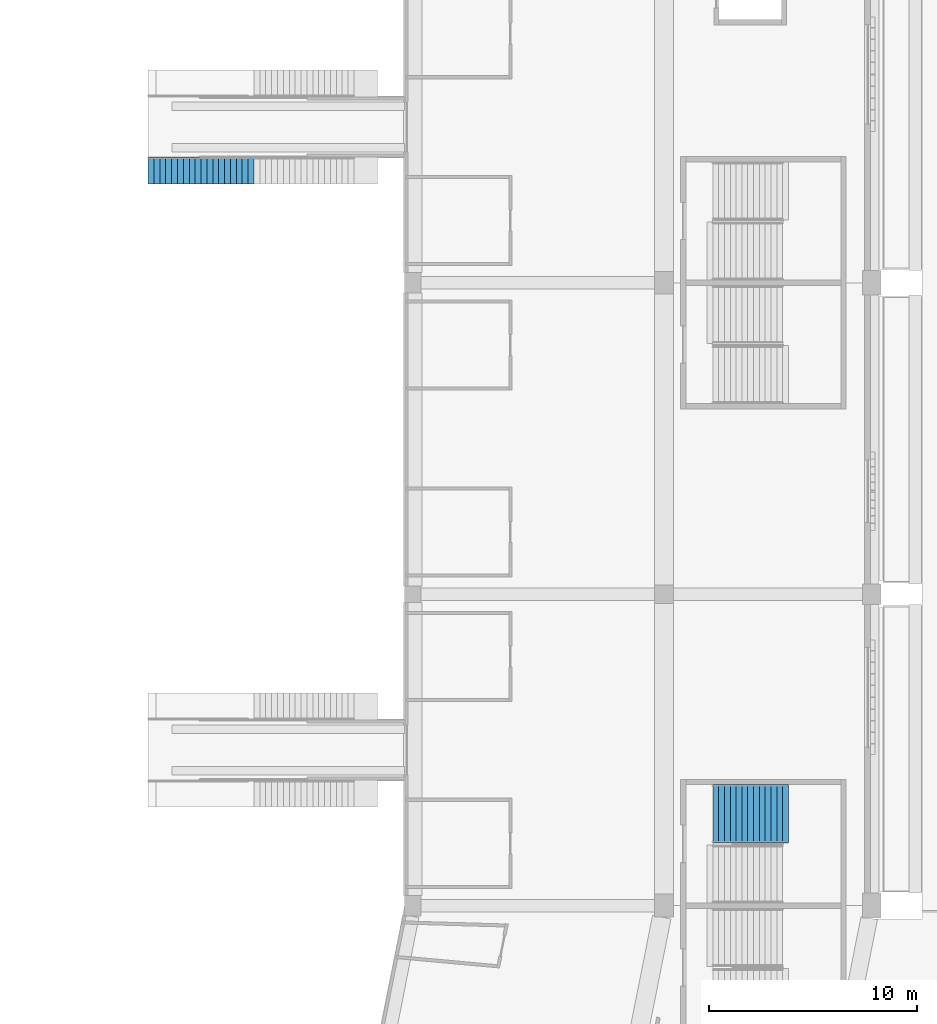
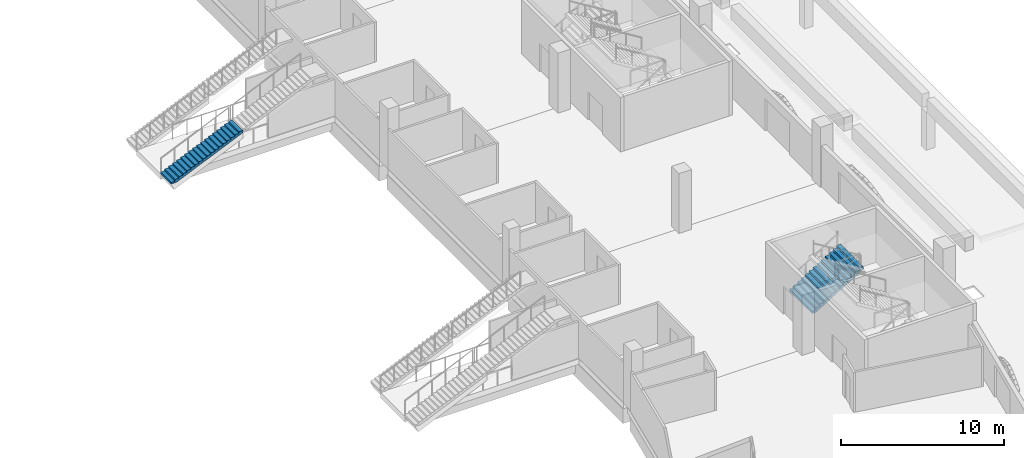
# One storey, part 97 of 175: 2 stair flights, 2 elements without a shape of their own.
"""IFC4 building model written with IfcOpenShell, lengths in metres."""

from ifc_helpers import new_model, si_unit, direction, frame, origin, place, context, subcontext, project, spatial, faceted_brep, material, type_object, element, aggregate, save


model = new_model("IFC4")

# Units and contexts
model_context = context("Model", 3, precision=1e-05, world=origin(), true_north=direction((0.0, 1.0)))
body_context = subcontext(model_context, "Body", "Model", "MODEL_VIEW")
ifc_project = project(units=[si_unit("LENGTHUNIT", "METRE"), si_unit("AREAUNIT", "SQUARE_METRE"), si_unit("VOLUMEUNIT", "CUBIC_METRE"), si_unit("PLANEANGLEUNIT", "RADIAN"), si_unit("MASSUNIT", "GRAM", prefix="KILO")], contexts=[model_context])

# Site, building, storey
site_placement = place(None, origin())
site = spatial("IfcSite", under=ifc_project, at=site_placement, CompositionType="ELEMENT")
building_placement = place(site_placement, origin())
building = spatial("IfcBuilding", under=site, at=building_placement, Name="Ogive Plaza Stadium", CompositionType="ELEMENT")
storey_placement = place(building_placement, origin())
storey = spatial("IfcBuildingStorey", under=building, at=storey_placement, Name="L00", CompositionType="ELEMENT", Elevation=0.0)

# Stair, stair flight
ifc_material_1 = material(Name="Concrete C40/50", Category="concrete")
stair_type_1 = type_object("IfcStairType", Name="Aisle stair", PredefinedType="STRAIGHT_RUN_STAIR", material=ifc_material_1)
stair_1_placement = place(storey_placement, origin())
stair_1 = element("IfcStair", 1, at=stair_1_placement, inside=storey, type_object=stair_type_1, Name="Aisle stair SA05L", PredefinedType="STRAIGHT_RUN_STAIR")
ifc_material_2 = material(Name="Concrete C40/50", Category="concrete")
stair_flight_type_1 = type_object("IfcStairFlightType", Name="Aisle stair flight", PredefinedType="STRAIGHT", material=ifc_material_2)
stair_flight_1_placement = place(storey_placement, frame((49.14990234375, -17.10009765625, 0.0), z_axis=(0.0, 0.0, 1.0), x_axis=(1.0, 0.0, 0.0)))
stair_flight_1 = element("IfcStairFlight", 2, at=stair_flight_1_placement, type_object=stair_flight_type_1, Name="SA05L flight 1", NumberOfRisers=18, NumberOfTreads=17, PredefinedType="STRAIGHT", RiserHeight=0.125, TreadLength=0.283333333, context=body_context, shape_type="Brep", body=[
    faceted_brep([(0.371337890625, -0.64990234375, 0.0), (5.10009765625, -0.64990234375, 2.086181640625), (5.10009765625, -0.64990234375, 2.25), (4.816650390625, -0.64990234375, 2.25), (4.816650390625, -0.64990234375, 2.125), (4.533447265625, -0.64990234375, 2.125), (4.533447265625, -0.64990234375, 2.0), (4.25, -0.64990234375, 2.0), (4.25, -0.64990234375, 1.875), (3.966552734375, -0.64990234375, 1.875), (3.966552734375, -0.64990234375, 1.75), (3.683349609375, -0.64990234375, 1.75), (3.683349609375, -0.64990234375, 1.625), (3.39990234375, -0.64990234375, 1.625), (3.39990234375, -0.64990234375, 1.5), (3.11669921875, -0.64990234375, 1.5), (3.11669921875, -0.64990234375, 1.375), (2.833251953125, -0.64990234375, 1.375), (2.833251953125, -0.64990234375, 1.25), (2.550048828125, -0.64990234375, 1.25), (2.550048828125, -0.64990234375, 1.125), (2.2666015625, -0.64990234375, 1.125), (2.2666015625, -0.64990234375, 1.0), (1.9833984375, -0.64990234375, 1.0), (1.9833984375, -0.64990234375, 0.875), (1.699951171875, -0.64990234375, 0.875), (1.699951171875, -0.64990234375, 0.75), (1.416748046875, -0.64990234375, 0.75), (1.416748046875, -0.64990234375, 0.625), (1.13330078125, -0.64990234375, 0.625), (1.13330078125, -0.64990234375, 0.5), (0.85009765625, -0.64990234375, 0.5), (0.85009765625, -0.64990234375, 0.375), (0.566650390625, -0.64990234375, 0.375), (0.566650390625, -0.64990234375, 0.25), (0.283447265625, -0.64990234375, 0.25), (0.283447265625, -0.64990234375, 0.125), (0.0, -0.64990234375, 0.125), (0.0, -0.64990234375, 0.0), (0.0, 0.64990234375, 0.0), (0.0, 0.64990234375, 0.125), (0.283447265625, 0.64990234375, 0.125), (0.283447265625, 0.64990234375, 0.25), (0.566650390625, 0.64990234375, 0.25), (0.566650390625, 0.64990234375, 0.375), (0.85009765625, 0.64990234375, 0.375), (0.85009765625, 0.64990234375, 0.5), (1.13330078125, 0.64990234375, 0.5), (1.13330078125, 0.64990234375, 0.625), (1.416748046875, 0.64990234375, 0.625), (1.416748046875, 0.64990234375, 0.75), (1.699951171875, 0.64990234375, 0.75), (1.699951171875, 0.64990234375, 0.875), (1.9833984375, 0.64990234375, 0.875), (1.9833984375, 0.64990234375, 1.0), (2.2666015625, 0.64990234375, 1.0), (2.2666015625, 0.64990234375, 1.125), (2.550048828125, 0.64990234375, 1.125), (2.550048828125, 0.64990234375, 1.25), (2.833251953125, 0.64990234375, 1.25), (2.833251953125, 0.64990234375, 1.375), (3.11669921875, 0.64990234375, 1.375), (3.11669921875, 0.64990234375, 1.5), (3.39990234375, 0.64990234375, 1.5), (3.39990234375, 0.64990234375, 1.625), (3.683349609375, 0.64990234375, 1.625), (3.683349609375, 0.64990234375, 1.75), (3.966552734375, 0.64990234375, 1.75), (3.966552734375, 0.64990234375, 1.875), (4.25, 0.64990234375, 1.875), (4.25, 0.64990234375, 2.0), (4.533447265625, 0.64990234375, 2.0), (4.533447265625, 0.64990234375, 2.125), (4.816650390625, 0.64990234375, 2.125), (4.816650390625, 0.64990234375, 2.25), (5.10009765625, 0.64990234375, 2.25), (5.10009765625, 0.64990234375, 2.086181640625), (0.371337890625, 0.64990234375, 0.0), (0.371337890625, -0.324951171875, 0.0), (5.10009765625, -0.324951171875, 2.086181640625), (0.371337890625, 0.0, 0.0), (5.10009765625, 0.0, 2.086181640625), (0.371337890625, 0.324951171875, 0.0), (5.10009765625, 0.324951171875, 2.086181640625), (5.10009765625, -0.324951171875, 2.25), (5.10009765625, 0.0, 2.25), (5.10009765625, 0.324951171875, 2.25), (4.816650390625, -0.324951171875, 2.25), (4.816650390625, 0.0, 2.25), (4.816650390625, 0.324951171875, 2.25), (4.816650390625, -0.324951171875, 2.125), (4.816650390625, 0.0, 2.125), (4.816650390625, 0.324951171875, 2.125), (4.533447265625, -0.324951171875, 2.125), (4.533447265625, 0.0, 2.125), (4.533447265625, 0.324951171875, 2.125), (4.533447265625, -0.324951171875, 2.0), (4.533447265625, 0.0, 2.0), (4.533447265625, 0.324951171875, 2.0), (4.25, -0.324951171875, 2.0), (4.25, 0.0, 2.0), (4.25, 0.324951171875, 2.0), (4.25, -0.324951171875, 1.875), (4.25, 0.0, 1.875), (4.25, 0.324951171875, 1.875), (3.966552734375, -0.324951171875, 1.875), (3.966552734375, 0.0, 1.875), (3.966552734375, 0.324951171875, 1.875), (3.966552734375, -0.324951171875, 1.75), (3.966552734375, 0.0, 1.75), (3.966552734375, 0.324951171875, 1.75), (3.683349609375, -0.324951171875, 1.75), (3.683349609375, 0.0, 1.75), (3.683349609375, 0.324951171875, 1.75), (3.683349609375, -0.324951171875, 1.625), (3.683349609375, 0.0, 1.625), (3.683349609375, 0.324951171875, 1.625), (3.39990234375, -0.324951171875, 1.625), (3.39990234375, 0.0, 1.625), (3.39990234375, 0.324951171875, 1.625), (3.39990234375, -0.324951171875, 1.5), (3.39990234375, 0.0, 1.5), (3.39990234375, 0.324951171875, 1.5), (3.11669921875, -0.324951171875, 1.5), (3.11669921875, 0.0, 1.5), (3.11669921875, 0.324951171875, 1.5), (3.11669921875, -0.324951171875, 1.375), (3.11669921875, 0.0, 1.375), (3.11669921875, 0.324951171875, 1.375), (2.833251953125, -0.324951171875, 1.375), (2.833251953125, 0.0, 1.375), (2.833251953125, 0.324951171875, 1.375), (2.833251953125, -0.324951171875, 1.25), (2.833251953125, 0.0, 1.25), (2.833251953125, 0.324951171875, 1.25), (2.550048828125, -0.324951171875, 1.25), (2.550048828125, 0.0, 1.25), (2.550048828125, 0.324951171875, 1.25), (2.550048828125, -0.324951171875, 1.125), (2.550048828125, 0.0, 1.125), (2.550048828125, 0.324951171875, 1.125), (2.2666015625, -0.324951171875, 1.125), (2.2666015625, 0.0, 1.125), (2.2666015625, 0.324951171875, 1.125), (2.2666015625, -0.324951171875, 1.0), (2.2666015625, 0.0, 1.0), (2.2666015625, 0.324951171875, 1.0), (1.9833984375, -0.324951171875, 1.0), (1.9833984375, 0.0, 1.0), (1.9833984375, 0.324951171875, 1.0), (1.9833984375, -0.324951171875, 0.875), (1.9833984375, 0.0, 0.875), (1.9833984375, 0.324951171875, 0.875), (1.699951171875, -0.324951171875, 0.875), (1.699951171875, 0.0, 0.875), (1.699951171875, 0.324951171875, 0.875), (1.699951171875, -0.324951171875, 0.75), (1.699951171875, 0.0, 0.75), (1.699951171875, 0.324951171875, 0.75), (1.416748046875, -0.324951171875, 0.75), (1.416748046875, 0.0, 0.75), (1.416748046875, 0.324951171875, 0.75), (1.416748046875, -0.324951171875, 0.625), (1.416748046875, 0.0, 0.625), (1.416748046875, 0.324951171875, 0.625), (1.13330078125, -0.324951171875, 0.625), (1.13330078125, 0.0, 0.625), (1.13330078125, 0.324951171875, 0.625), (1.13330078125, -0.324951171875, 0.5), (1.13330078125, 0.0, 0.5), (1.13330078125, 0.324951171875, 0.5), (0.85009765625, -0.324951171875, 0.5), (0.85009765625, 0.0, 0.5), (0.85009765625, 0.324951171875, 0.5), (0.85009765625, -0.324951171875, 0.375), (0.85009765625, 0.0, 0.375), (0.85009765625, 0.324951171875, 0.375), (0.566650390625, -0.324951171875, 0.375), (0.566650390625, 0.0, 0.375), (0.566650390625, 0.324951171875, 0.375), (0.566650390625, -0.324951171875, 0.25), (0.566650390625, 0.0, 0.25), (0.566650390625, 0.324951171875, 0.25), (0.283447265625, -0.324951171875, 0.25), (0.283447265625, 0.0, 0.25), (0.283447265625, 0.324951171875, 0.25), (0.283447265625, -0.324951171875, 0.125), (0.283447265625, 0.0, 0.125), (0.283447265625, 0.324951171875, 0.125), (0.0, -0.324951171875, 0.125), (0.0, 0.0, 0.125), (0.0, 0.324951171875, 0.125), (0.0, -0.324951171875, 0.0), (0.0, 0.0, 0.0), (0.0, 0.324951171875, 0.0)], [[[0, 1, 2, 3, 4, 5, 6, 7, 8, 9, 10, 11, 12, 13, 14, 15, 16, 17, 18, 19, 20, 21, 22, 23, 24, 25, 26, 27, 28, 29, 30, 31, 32, 33, 34, 35, 36, 37, 38]], [[39, 40, 41, 42, 43, 44, 45, 46, 47, 48, 49, 50, 51, 52, 53, 54, 55, 56, 57, 58, 59, 60, 61, 62, 63, 64, 65, 66, 67, 68, 69, 70, 71, 72, 73, 74, 75, 76, 77]], [[0, 78, 79, 1]], [[78, 80, 81, 79]], [[80, 82, 83, 81]], [[82, 77, 76, 83]], [[1, 79, 84, 2]], [[79, 81, 85, 84]], [[81, 83, 86, 85]], [[83, 76, 75, 86]], [[2, 84, 87, 3]], [[84, 85, 88, 87]], [[85, 86, 89, 88]], [[86, 75, 74, 89]], [[3, 87, 90, 4]], [[87, 88, 91, 90]], [[88, 89, 92, 91]], [[89, 74, 73, 92]], [[4, 90, 93, 5]], [[90, 91, 94, 93]], [[91, 92, 95, 94]], [[92, 73, 72, 95]], [[5, 93, 96, 6]], [[93, 94, 97, 96]], [[94, 95, 98, 97]], [[95, 72, 71, 98]], [[6, 96, 99, 7]], [[96, 97, 100, 99]], [[97, 98, 101, 100]], [[98, 71, 70, 101]], [[7, 99, 102, 8]], [[99, 100, 103, 102]], [[100, 101, 104, 103]], [[101, 70, 69, 104]], [[8, 102, 105, 9]], [[102, 103, 106, 105]], [[103, 104, 107, 106]], [[104, 69, 68, 107]], [[9, 105, 108, 10]], [[105, 106, 109, 108]], [[106, 107, 110, 109]], [[107, 68, 67, 110]], [[10, 108, 111, 11]], [[108, 109, 112, 111]], [[109, 110, 113, 112]], [[110, 67, 66, 113]], [[11, 111, 114, 12]], [[111, 112, 115, 114]], [[112, 113, 116, 115]], [[113, 66, 65, 116]], [[12, 114, 117, 13]], [[114, 115, 118, 117]], [[115, 116, 119, 118]], [[116, 65, 64, 119]], [[13, 117, 120, 14]], [[117, 118, 121, 120]], [[118, 119, 122, 121]], [[119, 64, 63, 122]], [[14, 120, 123, 15]], [[120, 121, 124, 123]], [[121, 122, 125, 124]], [[122, 63, 62, 125]], [[15, 123, 126, 16]], [[123, 124, 127, 126]], [[124, 125, 128, 127]], [[125, 62, 61, 128]], [[16, 126, 129, 17]], [[126, 127, 130, 129]], [[127, 128, 131, 130]], [[128, 61, 60, 131]], [[17, 129, 132, 18]], [[129, 130, 133, 132]], [[130, 131, 134, 133]], [[131, 60, 59, 134]], [[18, 132, 135, 19]], [[132, 133, 136, 135]], [[133, 134, 137, 136]], [[134, 59, 58, 137]], [[19, 135, 138, 20]], [[135, 136, 139, 138]], [[136, 137, 140, 139]], [[137, 58, 57, 140]], [[20, 138, 141, 21]], [[138, 139, 142, 141]], [[139, 140, 143, 142]], [[140, 57, 56, 143]], [[21, 141, 144, 22]], [[141, 142, 145, 144]], [[142, 143, 146, 145]], [[143, 56, 55, 146]], [[22, 144, 147, 23]], [[144, 145, 148, 147]], [[145, 146, 149, 148]], [[146, 55, 54, 149]], [[23, 147, 150, 24]], [[147, 148, 151, 150]], [[148, 149, 152, 151]], [[149, 54, 53, 152]], [[24, 150, 153, 25]], [[150, 151, 154, 153]], [[151, 152, 155, 154]], [[152, 53, 52, 155]], [[25, 153, 156, 26]], [[153, 154, 157, 156]], [[154, 155, 158, 157]], [[155, 52, 51, 158]], [[26, 156, 159, 27]], [[156, 157, 160, 159]], [[157, 158, 161, 160]], [[158, 51, 50, 161]], [[27, 159, 162, 28]], [[159, 160, 163, 162]], [[160, 161, 164, 163]], [[161, 50, 49, 164]], [[28, 162, 165, 29]], [[162, 163, 166, 165]], [[163, 164, 167, 166]], [[164, 49, 48, 167]], [[29, 165, 168, 30]], [[165, 166, 169, 168]], [[166, 167, 170, 169]], [[167, 48, 47, 170]], [[30, 168, 171, 31]], [[168, 169, 172, 171]], [[169, 170, 173, 172]], [[170, 47, 46, 173]], [[31, 171, 174, 32]], [[171, 172, 175, 174]], [[172, 173, 176, 175]], [[173, 46, 45, 176]], [[32, 174, 177, 33]], [[174, 175, 178, 177]], [[175, 176, 179, 178]], [[176, 45, 44, 179]], [[33, 177, 180, 34]], [[177, 178, 181, 180]], [[178, 179, 182, 181]], [[179, 44, 43, 182]], [[34, 180, 183, 35]], [[180, 181, 184, 183]], [[181, 182, 185, 184]], [[182, 43, 42, 185]], [[35, 183, 186, 36]], [[183, 184, 187, 186]], [[184, 185, 188, 187]], [[185, 42, 41, 188]], [[36, 186, 189, 37]], [[186, 187, 190, 189]], [[187, 188, 191, 190]], [[188, 41, 40, 191]], [[37, 189, 192, 38]], [[189, 190, 193, 192]], [[190, 191, 194, 193]], [[191, 40, 39, 194]], [[38, 192, 78, 0]], [[192, 193, 80, 78]], [[193, 194, 82, 80]], [[194, 39, 77, 82]]]),
])
aggregate(stair_1, [stair_flight_1])

ifc_material_3 = material(Name="Concrete C40/50", Category="concrete")
stair_type_2 = type_object("IfcStairType", Name="Exit stair", PredefinedType="STRAIGHT_RUN_STAIR", material=ifc_material_3)
stair_2_placement = place(storey_placement, origin())
stair_2 = element("IfcStair", 3, at=stair_2_placement, inside=storey, type_object=stair_type_2, Name="Exit stair ST08B L00 to L01", PredefinedType="STRAIGHT_RUN_STAIR")
ifc_material_4 = material(Name="Concrete C40/50", Category="concrete")
stair_flight_type_2 = type_object("IfcStairFlightType", Name="Exit stair flight", PredefinedType="STRAIGHT", material=ifc_material_4)
stair_flight_2_placement = place(storey_placement, frame((76.35009765625, -48.074951171875, 0.0), z_axis=(0.0, 0.0, 1.0), x_axis=(1.0, 0.0, 0.0)))
stair_flight_2 = element("IfcStairFlight", 4, at=stair_flight_2_placement, type_object=stair_flight_type_2, Name="ST08B flight 1", NumberOfRisers=13, NumberOfTreads=12, PredefinedType="STRAIGHT", RiserHeight=0.173076923, TreadLength=0.28, context=body_context, shape_type="Brep", body=[
    faceted_brep([(0.28515625, -1.39990234375, 0.0), (3.639892578125, -1.39990234375, 2.07373046875), (3.639892578125, -1.39990234375, 2.25), (3.360107421875, -1.39990234375, 2.25), (3.360107421875, -1.39990234375, 2.076904296875), (3.080078125, -1.39990234375, 2.076904296875), (3.080078125, -1.39990234375, 1.90380859375), (2.800048828125, -1.39990234375, 1.90380859375), (2.800048828125, -1.39990234375, 1.730712890625), (2.52001953125, -1.39990234375, 1.730712890625), (2.52001953125, -1.39990234375, 1.5576171875), (2.239990234375, -1.39990234375, 1.5576171875), (2.239990234375, -1.39990234375, 1.384521484375), (1.9599609375, -1.39990234375, 1.384521484375), (1.9599609375, -1.39990234375, 1.21142578125), (1.679931640625, -1.39990234375, 1.21142578125), (1.679931640625, -1.39990234375, 1.03857421875), (1.39990234375, -1.39990234375, 1.03857421875), (1.39990234375, -1.39990234375, 0.865478515625), (1.1201171875, -1.39990234375, 0.865478515625), (1.1201171875, -1.39990234375, 0.6923828125), (0.840087890625, -1.39990234375, 0.6923828125), (0.840087890625, -1.39990234375, 0.519287109375), (0.56005859375, -1.39990234375, 0.519287109375), (0.56005859375, -1.39990234375, 0.34619140625), (0.280029296875, -1.39990234375, 0.34619140625), (0.280029296875, -1.39990234375, 0.173095703125), (0.0, -1.39990234375, 0.173095703125), (0.0, -1.39990234375, 0.0), (0.0, 1.39990234375, 0.0), (0.0, 1.39990234375, 0.173095703125), (0.280029296875, 1.39990234375, 0.173095703125), (0.280029296875, 1.39990234375, 0.34619140625), (0.56005859375, 1.39990234375, 0.34619140625), (0.56005859375, 1.39990234375, 0.519287109375), (0.840087890625, 1.39990234375, 0.519287109375), (0.840087890625, 1.39990234375, 0.6923828125), (1.1201171875, 1.39990234375, 0.6923828125), (1.1201171875, 1.39990234375, 0.865478515625), (1.39990234375, 1.39990234375, 0.865478515625), (1.39990234375, 1.39990234375, 1.03857421875), (1.679931640625, 1.39990234375, 1.03857421875), (1.679931640625, 1.39990234375, 1.21142578125), (1.9599609375, 1.39990234375, 1.21142578125), (1.9599609375, 1.39990234375, 1.384521484375), (2.239990234375, 1.39990234375, 1.384521484375), (2.239990234375, 1.39990234375, 1.5576171875), (2.52001953125, 1.39990234375, 1.5576171875), (2.52001953125, 1.39990234375, 1.730712890625), (2.800048828125, 1.39990234375, 1.730712890625), (2.800048828125, 1.39990234375, 1.90380859375), (3.080078125, 1.39990234375, 1.90380859375), (3.080078125, 1.39990234375, 2.076904296875), (3.360107421875, 1.39990234375, 2.076904296875), (3.360107421875, 1.39990234375, 2.25), (3.639892578125, 1.39990234375, 2.25), (3.639892578125, 1.39990234375, 2.07373046875), (0.28515625, 1.39990234375, 0.0), (0.28515625, -1.0888671875, 0.0), (3.639892578125, -1.0888671875, 2.07373046875), (0.28515625, -0.77783203125, 0.0), (3.639892578125, -0.77783203125, 2.07373046875), (0.28515625, -0.466796875, 0.0), (3.639892578125, -0.466796875, 2.07373046875), (0.28515625, -0.155517578125, 0.0), (3.639892578125, -0.155517578125, 2.07373046875), (0.28515625, 0.155517578125, 0.0), (3.639892578125, 0.155517578125, 2.07373046875), (0.28515625, 0.466796875, 0.0), (3.639892578125, 0.466796875, 2.07373046875), (0.28515625, 0.77783203125, 0.0), (3.639892578125, 0.77783203125, 2.07373046875), (0.28515625, 1.0888671875, 0.0), (3.639892578125, 1.0888671875, 2.07373046875), (3.639892578125, -1.0888671875, 2.25), (3.639892578125, -0.77783203125, 2.25), (3.639892578125, -0.466796875, 2.25), (3.639892578125, -0.155517578125, 2.25), (3.639892578125, 0.155517578125, 2.25), (3.639892578125, 0.466796875, 2.25), (3.639892578125, 0.77783203125, 2.25), (3.639892578125, 1.0888671875, 2.25), (3.360107421875, -1.0888671875, 2.25), (3.360107421875, -0.77783203125, 2.25), (3.360107421875, -0.466796875, 2.25), (3.360107421875, -0.155517578125, 2.25), (3.360107421875, 0.155517578125, 2.25), (3.360107421875, 0.466796875, 2.25), (3.360107421875, 0.77783203125, 2.25), (3.360107421875, 1.0888671875, 2.25), (3.360107421875, -1.0888671875, 2.076904296875), (3.360107421875, -0.77783203125, 2.076904296875), (3.360107421875, -0.466796875, 2.076904296875), (3.360107421875, -0.155517578125, 2.076904296875), (3.360107421875, 0.155517578125, 2.076904296875), (3.360107421875, 0.466796875, 2.076904296875), (3.360107421875, 0.77783203125, 2.076904296875), (3.360107421875, 1.0888671875, 2.076904296875), (3.080078125, -1.0888671875, 2.076904296875), (3.080078125, -0.77783203125, 2.076904296875), (3.080078125, -0.466796875, 2.076904296875), (3.080078125, -0.155517578125, 2.076904296875), (3.080078125, 0.155517578125, 2.076904296875), (3.080078125, 0.466796875, 2.076904296875), (3.080078125, 0.77783203125, 2.076904296875), (3.080078125, 1.0888671875, 2.076904296875), (3.080078125, -1.0888671875, 1.90380859375), (3.080078125, -0.77783203125, 1.90380859375), (3.080078125, -0.466796875, 1.90380859375), (3.080078125, -0.155517578125, 1.90380859375), (3.080078125, 0.155517578125, 1.90380859375), (3.080078125, 0.466796875, 1.90380859375), (3.080078125, 0.77783203125, 1.90380859375), (3.080078125, 1.0888671875, 1.90380859375), (2.800048828125, -1.0888671875, 1.90380859375), (2.800048828125, -0.77783203125, 1.90380859375), (2.800048828125, -0.466796875, 1.90380859375), (2.800048828125, -0.155517578125, 1.90380859375), (2.800048828125, 0.155517578125, 1.90380859375), (2.800048828125, 0.466796875, 1.90380859375), (2.800048828125, 0.77783203125, 1.90380859375), (2.800048828125, 1.0888671875, 1.90380859375), (2.800048828125, -1.0888671875, 1.730712890625), (2.800048828125, -0.77783203125, 1.730712890625), (2.800048828125, -0.466796875, 1.730712890625), (2.800048828125, -0.155517578125, 1.730712890625), (2.800048828125, 0.155517578125, 1.730712890625), (2.800048828125, 0.466796875, 1.730712890625), (2.800048828125, 0.77783203125, 1.730712890625), (2.800048828125, 1.0888671875, 1.730712890625), (2.52001953125, -1.0888671875, 1.730712890625), (2.52001953125, -0.77783203125, 1.730712890625), (2.52001953125, -0.466796875, 1.730712890625), (2.52001953125, -0.155517578125, 1.730712890625), (2.52001953125, 0.155517578125, 1.730712890625), (2.52001953125, 0.466796875, 1.730712890625), (2.52001953125, 0.77783203125, 1.730712890625), (2.52001953125, 1.0888671875, 1.730712890625), (2.52001953125, -1.0888671875, 1.5576171875), (2.52001953125, -0.77783203125, 1.5576171875), (2.52001953125, -0.466796875, 1.5576171875), (2.52001953125, -0.155517578125, 1.5576171875), (2.52001953125, 0.155517578125, 1.5576171875), (2.52001953125, 0.466796875, 1.5576171875), (2.52001953125, 0.77783203125, 1.5576171875), (2.52001953125, 1.0888671875, 1.5576171875), (2.239990234375, -1.0888671875, 1.5576171875), (2.239990234375, -0.77783203125, 1.5576171875), (2.239990234375, -0.466796875, 1.5576171875), (2.239990234375, -0.155517578125, 1.5576171875), (2.239990234375, 0.155517578125, 1.5576171875), (2.239990234375, 0.466796875, 1.5576171875), (2.239990234375, 0.77783203125, 1.5576171875), (2.239990234375, 1.0888671875, 1.5576171875), (2.239990234375, -1.0888671875, 1.384521484375), (2.239990234375, -0.77783203125, 1.384521484375), (2.239990234375, -0.466796875, 1.384521484375), (2.239990234375, -0.155517578125, 1.384521484375), (2.239990234375, 0.155517578125, 1.384521484375), (2.239990234375, 0.466796875, 1.384521484375), (2.239990234375, 0.77783203125, 1.384521484375), (2.239990234375, 1.0888671875, 1.384521484375), (1.9599609375, -1.0888671875, 1.384521484375), (1.9599609375, -0.77783203125, 1.384521484375), (1.9599609375, -0.466796875, 1.384521484375), (1.9599609375, -0.155517578125, 1.384521484375), (1.9599609375, 0.155517578125, 1.384521484375), (1.9599609375, 0.466796875, 1.384521484375), (1.9599609375, 0.77783203125, 1.384521484375), (1.9599609375, 1.0888671875, 1.384521484375), (1.9599609375, -1.0888671875, 1.21142578125), (1.9599609375, -0.77783203125, 1.21142578125), (1.9599609375, -0.466796875, 1.21142578125), (1.9599609375, -0.155517578125, 1.21142578125), (1.9599609375, 0.155517578125, 1.21142578125), (1.9599609375, 0.466796875, 1.21142578125), (1.9599609375, 0.77783203125, 1.21142578125), (1.9599609375, 1.0888671875, 1.21142578125), (1.679931640625, -1.0888671875, 1.21142578125), (1.679931640625, -0.77783203125, 1.21142578125), (1.679931640625, -0.466796875, 1.21142578125), (1.679931640625, -0.155517578125, 1.21142578125), (1.679931640625, 0.155517578125, 1.21142578125), (1.679931640625, 0.466796875, 1.21142578125), (1.679931640625, 0.77783203125, 1.21142578125), (1.679931640625, 1.0888671875, 1.21142578125), (1.679931640625, -1.0888671875, 1.03857421875), (1.679931640625, -0.77783203125, 1.03857421875), (1.679931640625, -0.466796875, 1.03857421875), (1.679931640625, -0.155517578125, 1.03857421875), (1.679931640625, 0.155517578125, 1.03857421875), (1.679931640625, 0.466796875, 1.03857421875), (1.679931640625, 0.77783203125, 1.03857421875), (1.679931640625, 1.0888671875, 1.03857421875), (1.39990234375, -1.0888671875, 1.03857421875), (1.39990234375, -0.77783203125, 1.03857421875), (1.39990234375, -0.466796875, 1.03857421875), (1.39990234375, -0.155517578125, 1.03857421875), (1.39990234375, 0.155517578125, 1.03857421875), (1.39990234375, 0.466796875, 1.03857421875), (1.39990234375, 0.77783203125, 1.03857421875), (1.39990234375, 1.0888671875, 1.03857421875), (1.39990234375, -1.0888671875, 0.865478515625), (1.39990234375, -0.77783203125, 0.865478515625), (1.39990234375, -0.466796875, 0.865478515625), (1.39990234375, -0.155517578125, 0.865478515625), (1.39990234375, 0.155517578125, 0.865478515625), (1.39990234375, 0.466796875, 0.865478515625), (1.39990234375, 0.77783203125, 0.865478515625), (1.39990234375, 1.0888671875, 0.865478515625), (1.1201171875, -1.0888671875, 0.865478515625), (1.1201171875, -0.77783203125, 0.865478515625), (1.1201171875, -0.466796875, 0.865478515625), (1.1201171875, -0.155517578125, 0.865478515625), (1.1201171875, 0.155517578125, 0.865478515625), (1.1201171875, 0.466796875, 0.865478515625), (1.1201171875, 0.77783203125, 0.865478515625), (1.1201171875, 1.0888671875, 0.865478515625), (1.1201171875, -1.0888671875, 0.6923828125), (1.1201171875, -0.77783203125, 0.6923828125), (1.1201171875, -0.466796875, 0.6923828125), (1.1201171875, -0.155517578125, 0.6923828125), (1.1201171875, 0.155517578125, 0.6923828125), (1.1201171875, 0.466796875, 0.6923828125), (1.1201171875, 0.77783203125, 0.6923828125), (1.1201171875, 1.0888671875, 0.6923828125), (0.840087890625, -1.0888671875, 0.6923828125), (0.840087890625, -0.77783203125, 0.6923828125), (0.840087890625, -0.466796875, 0.6923828125), (0.840087890625, -0.155517578125, 0.6923828125), (0.840087890625, 0.155517578125, 0.6923828125), (0.840087890625, 0.466796875, 0.6923828125), (0.840087890625, 0.77783203125, 0.6923828125), (0.840087890625, 1.0888671875, 0.6923828125), (0.840087890625, -1.0888671875, 0.519287109375), (0.840087890625, -0.77783203125, 0.519287109375), (0.840087890625, -0.466796875, 0.519287109375), (0.840087890625, -0.155517578125, 0.519287109375), (0.840087890625, 0.155517578125, 0.519287109375), (0.840087890625, 0.466796875, 0.519287109375), (0.840087890625, 0.77783203125, 0.519287109375), (0.840087890625, 1.0888671875, 0.519287109375), (0.56005859375, -1.0888671875, 0.519287109375), (0.56005859375, -0.77783203125, 0.519287109375), (0.56005859375, -0.466796875, 0.519287109375), (0.56005859375, -0.155517578125, 0.519287109375), (0.56005859375, 0.155517578125, 0.519287109375), (0.56005859375, 0.466796875, 0.519287109375), (0.56005859375, 0.77783203125, 0.519287109375), (0.56005859375, 1.0888671875, 0.519287109375), (0.56005859375, -1.0888671875, 0.34619140625), (0.56005859375, -0.77783203125, 0.34619140625), (0.56005859375, -0.466796875, 0.34619140625), (0.56005859375, -0.155517578125, 0.34619140625), (0.56005859375, 0.155517578125, 0.34619140625), (0.56005859375, 0.466796875, 0.34619140625), (0.56005859375, 0.77783203125, 0.34619140625), (0.56005859375, 1.0888671875, 0.34619140625), (0.280029296875, -1.0888671875, 0.34619140625), (0.280029296875, -0.77783203125, 0.34619140625), (0.280029296875, -0.466796875, 0.34619140625), (0.280029296875, -0.155517578125, 0.34619140625), (0.280029296875, 0.155517578125, 0.34619140625), (0.280029296875, 0.466796875, 0.34619140625), (0.280029296875, 0.77783203125, 0.34619140625), (0.280029296875, 1.0888671875, 0.34619140625), (0.280029296875, -1.0888671875, 0.173095703125), (0.280029296875, -0.77783203125, 0.173095703125), (0.280029296875, -0.466796875, 0.173095703125), (0.280029296875, -0.155517578125, 0.173095703125), (0.280029296875, 0.155517578125, 0.173095703125), (0.280029296875, 0.466796875, 0.173095703125), (0.280029296875, 0.77783203125, 0.173095703125), (0.280029296875, 1.0888671875, 0.173095703125), (0.0, -1.0888671875, 0.173095703125), (0.0, -0.77783203125, 0.173095703125), (0.0, -0.466796875, 0.173095703125), (0.0, -0.155517578125, 0.173095703125), (0.0, 0.155517578125, 0.173095703125), (0.0, 0.466796875, 0.173095703125), (0.0, 0.77783203125, 0.173095703125), (0.0, 1.0888671875, 0.173095703125), (0.0, -1.0888671875, 0.0), (0.0, -0.77783203125, 0.0), (0.0, -0.466796875, 0.0), (0.0, -0.155517578125, 0.0), (0.0, 0.155517578125, 0.0), (0.0, 0.466796875, 0.0), (0.0, 0.77783203125, 0.0), (0.0, 1.0888671875, 0.0)], [[[0, 1, 2, 3, 4, 5, 6, 7, 8, 9, 10, 11, 12, 13, 14, 15, 16, 17, 18, 19, 20, 21, 22, 23, 24, 25, 26, 27, 28]], [[29, 30, 31, 32, 33, 34, 35, 36, 37, 38, 39, 40, 41, 42, 43, 44, 45, 46, 47, 48, 49, 50, 51, 52, 53, 54, 55, 56, 57]], [[0, 58, 59, 1]], [[58, 60, 61, 59]], [[60, 62, 63, 61]], [[62, 64, 65, 63]], [[64, 66, 67, 65]], [[66, 68, 69, 67]], [[68, 70, 71, 69]], [[70, 72, 73, 71]], [[72, 57, 56, 73]], [[1, 59, 74, 2]], [[59, 61, 75, 74]], [[61, 63, 76, 75]], [[63, 65, 77, 76]], [[65, 67, 78, 77]], [[67, 69, 79, 78]], [[69, 71, 80, 79]], [[71, 73, 81, 80]], [[73, 56, 55, 81]], [[2, 74, 82, 3]], [[74, 75, 83, 82]], [[75, 76, 84, 83]], [[76, 77, 85, 84]], [[77, 78, 86, 85]], [[78, 79, 87, 86]], [[79, 80, 88, 87]], [[80, 81, 89, 88]], [[81, 55, 54, 89]], [[3, 82, 90, 4]], [[82, 83, 91, 90]], [[83, 84, 92, 91]], [[84, 85, 93, 92]], [[85, 86, 94, 93]], [[86, 87, 95, 94]], [[87, 88, 96, 95]], [[88, 89, 97, 96]], [[89, 54, 53, 97]], [[4, 90, 98, 5]], [[90, 91, 99, 98]], [[91, 92, 100, 99]], [[92, 93, 101, 100]], [[93, 94, 102, 101]], [[94, 95, 103, 102]], [[95, 96, 104, 103]], [[96, 97, 105, 104]], [[97, 53, 52, 105]], [[5, 98, 106, 6]], [[98, 99, 107, 106]], [[99, 100, 108, 107]], [[100, 101, 109, 108]], [[101, 102, 110, 109]], [[102, 103, 111, 110]], [[103, 104, 112, 111]], [[104, 105, 113, 112]], [[105, 52, 51, 113]], [[6, 106, 114, 7]], [[106, 107, 115, 114]], [[107, 108, 116, 115]], [[108, 109, 117, 116]], [[109, 110, 118, 117]], [[110, 111, 119, 118]], [[111, 112, 120, 119]], [[112, 113, 121, 120]], [[113, 51, 50, 121]], [[7, 114, 122, 8]], [[114, 115, 123, 122]], [[115, 116, 124, 123]], [[116, 117, 125, 124]], [[117, 118, 126, 125]], [[118, 119, 127, 126]], [[119, 120, 128, 127]], [[120, 121, 129, 128]], [[121, 50, 49, 129]], [[8, 122, 130, 9]], [[122, 123, 131, 130]], [[123, 124, 132, 131]], [[124, 125, 133, 132]], [[125, 126, 134, 133]], [[126, 127, 135, 134]], [[127, 128, 136, 135]], [[128, 129, 137, 136]], [[129, 49, 48, 137]], [[9, 130, 138, 10]], [[130, 131, 139, 138]], [[131, 132, 140, 139]], [[132, 133, 141, 140]], [[133, 134, 142, 141]], [[134, 135, 143, 142]], [[135, 136, 144, 143]], [[136, 137, 145, 144]], [[137, 48, 47, 145]], [[10, 138, 146, 11]], [[138, 139, 147, 146]], [[139, 140, 148, 147]], [[140, 141, 149, 148]], [[141, 142, 150, 149]], [[142, 143, 151, 150]], [[143, 144, 152, 151]], [[144, 145, 153, 152]], [[145, 47, 46, 153]], [[11, 146, 154, 12]], [[146, 147, 155, 154]], [[147, 148, 156, 155]], [[148, 149, 157, 156]], [[149, 150, 158, 157]], [[150, 151, 159, 158]], [[151, 152, 160, 159]], [[152, 153, 161, 160]], [[153, 46, 45, 161]], [[12, 154, 162, 13]], [[154, 155, 163, 162]], [[155, 156, 164, 163]], [[156, 157, 165, 164]], [[157, 158, 166, 165]], [[158, 159, 167, 166]], [[159, 160, 168, 167]], [[160, 161, 169, 168]], [[161, 45, 44, 169]], [[13, 162, 170, 14]], [[162, 163, 171, 170]], [[163, 164, 172, 171]], [[164, 165, 173, 172]], [[165, 166, 174, 173]], [[166, 167, 175, 174]], [[167, 168, 176, 175]], [[168, 169, 177, 176]], [[169, 44, 43, 177]], [[14, 170, 178, 15]], [[170, 171, 179, 178]], [[171, 172, 180, 179]], [[172, 173, 181, 180]], [[173, 174, 182, 181]], [[174, 175, 183, 182]], [[175, 176, 184, 183]], [[176, 177, 185, 184]], [[177, 43, 42, 185]], [[15, 178, 186, 16]], [[178, 179, 187, 186]], [[179, 180, 188, 187]], [[180, 181, 189, 188]], [[181, 182, 190, 189]], [[182, 183, 191, 190]], [[183, 184, 192, 191]], [[184, 185, 193, 192]], [[185, 42, 41, 193]], [[16, 186, 194, 17]], [[186, 187, 195, 194]], [[187, 188, 196, 195]], [[188, 189, 197, 196]], [[189, 190, 198, 197]], [[190, 191, 199, 198]], [[191, 192, 200, 199]], [[192, 193, 201, 200]], [[193, 41, 40, 201]], [[17, 194, 202, 18]], [[194, 195, 203, 202]], [[195, 196, 204, 203]], [[196, 197, 205, 204]], [[197, 198, 206, 205]], [[198, 199, 207, 206]], [[199, 200, 208, 207]], [[200, 201, 209, 208]], [[201, 40, 39, 209]], [[18, 202, 210, 19]], [[202, 203, 211, 210]], [[203, 204, 212, 211]], [[204, 205, 213, 212]], [[205, 206, 214, 213]], [[206, 207, 215, 214]], [[207, 208, 216, 215]], [[208, 209, 217, 216]], [[209, 39, 38, 217]], [[19, 210, 218, 20]], [[210, 211, 219, 218]], [[211, 212, 220, 219]], [[212, 213, 221, 220]], [[213, 214, 222, 221]], [[214, 215, 223, 222]], [[215, 216, 224, 223]], [[216, 217, 225, 224]], [[217, 38, 37, 225]], [[20, 218, 226, 21]], [[218, 219, 227, 226]], [[219, 220, 228, 227]], [[220, 221, 229, 228]], [[221, 222, 230, 229]], [[222, 223, 231, 230]], [[223, 224, 232, 231]], [[224, 225, 233, 232]], [[225, 37, 36, 233]], [[21, 226, 234, 22]], [[226, 227, 235, 234]], [[227, 228, 236, 235]], [[228, 229, 237, 236]], [[229, 230, 238, 237]], [[230, 231, 239, 238]], [[231, 232, 240, 239]], [[232, 233, 241, 240]], [[233, 36, 35, 241]], [[22, 234, 242, 23]], [[234, 235, 243, 242]], [[235, 236, 244, 243]], [[236, 237, 245, 244]], [[237, 238, 246, 245]], [[238, 239, 247, 246]], [[239, 240, 248, 247]], [[240, 241, 249, 248]], [[241, 35, 34, 249]], [[23, 242, 250, 24]], [[242, 243, 251, 250]], [[243, 244, 252, 251]], [[244, 245, 253, 252]], [[245, 246, 254, 253]], [[246, 247, 255, 254]], [[247, 248, 256, 255]], [[248, 249, 257, 256]], [[249, 34, 33, 257]], [[24, 250, 258, 25]], [[250, 251, 259, 258]], [[251, 252, 260, 259]], [[252, 253, 261, 260]], [[253, 254, 262, 261]], [[254, 255, 263, 262]], [[255, 256, 264, 263]], [[256, 257, 265, 264]], [[257, 33, 32, 265]], [[25, 258, 266, 26]], [[258, 259, 267, 266]], [[259, 260, 268, 267]], [[260, 261, 269, 268]], [[261, 262, 270, 269]], [[262, 263, 271, 270]], [[263, 264, 272, 271]], [[264, 265, 273, 272]], [[265, 32, 31, 273]], [[26, 266, 274, 27]], [[266, 267, 275, 274]], [[267, 268, 276, 275]], [[268, 269, 277, 276]], [[269, 270, 278, 277]], [[270, 271, 279, 278]], [[271, 272, 280, 279]], [[272, 273, 281, 280]], [[273, 31, 30, 281]], [[27, 274, 282, 28]], [[274, 275, 283, 282]], [[275, 276, 284, 283]], [[276, 277, 285, 284]], [[277, 278, 286, 285]], [[278, 279, 287, 286]], [[279, 280, 288, 287]], [[280, 281, 289, 288]], [[281, 30, 29, 289]], [[28, 282, 58, 0]], [[282, 283, 60, 58]], [[283, 284, 62, 60]], [[284, 285, 64, 62]], [[285, 286, 66, 64]], [[286, 287, 68, 66]], [[287, 288, 70, 68]], [[288, 289, 72, 70]], [[289, 29, 57, 72]]]),
])
aggregate(stair_2, [stair_flight_2])

save(model, "model.ifc")
